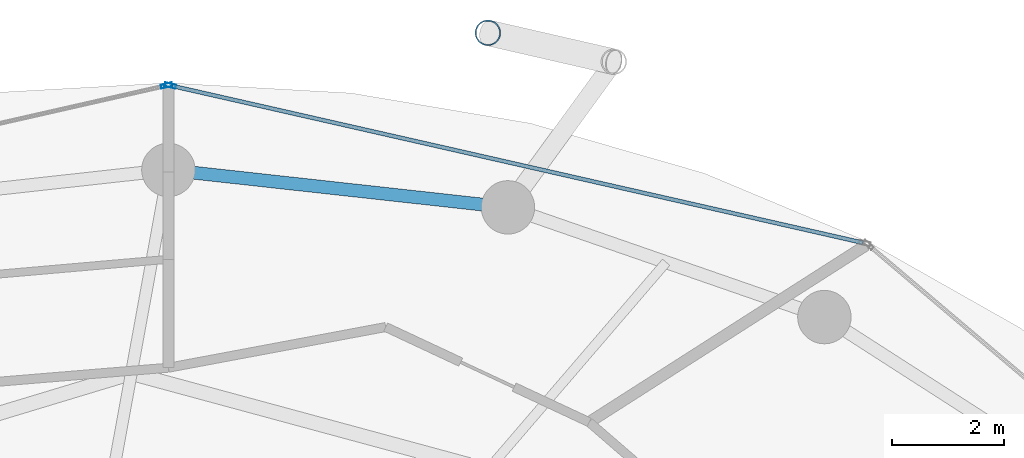
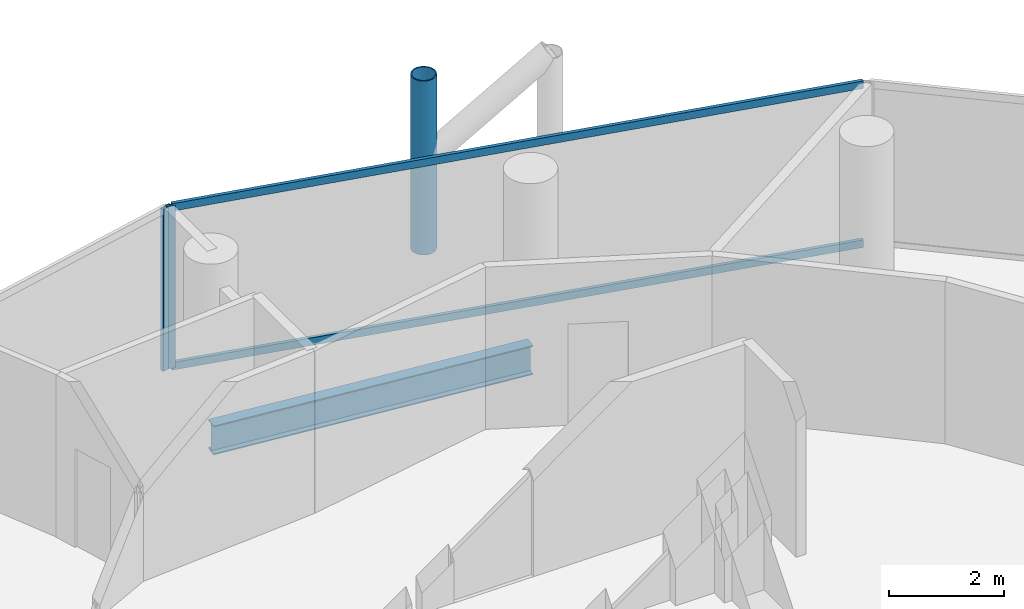
# One storey, part 17 of 26: 5 members, 1 beam, 2 elements without a shape of their own.
"""IFC4 building model written with IfcOpenShell, lengths in metres."""

from ifc_helpers import new_model, si_unit, direction, frame, origin, origin_2d, place, context, subcontext, project, spatial, hollow_rectangle, hollow_circle, i_section, extrude, material, layer, layer_set, material_profile, profile_set, type_object, element, aggregate, save


model = new_model("IFC4")

# Units and contexts
model_context = context("Model", 3, precision=1e-05, world=origin(), true_north=direction((0.0, 1.0)))
body_context = subcontext(model_context, "Body", "Model", "MODEL_VIEW")
ifc_project = project(units=[si_unit("LENGTHUNIT", "METRE"), si_unit("AREAUNIT", "SQUARE_METRE"), si_unit("VOLUMEUNIT", "CUBIC_METRE"), si_unit("PLANEANGLEUNIT", "RADIAN"), si_unit("MASSUNIT", "GRAM", prefix="KILO")], contexts=[model_context])

# Site, building, storey
site_placement = place(None, origin())
site = spatial("IfcSite", under=ifc_project, at=site_placement, CompositionType="ELEMENT")
building_placement = place(site_placement, origin())
building = spatial("IfcBuilding", under=site, at=building_placement, Name="Nuhasar Tower", CompositionType="ELEMENT")
storey_placement = place(building_placement, frame((0.0, 0.0, 140.449951171875)))
storey = spatial("IfcBuildingStorey", under=building, at=storey_placement, Name="L33", CompositionType="ELEMENT", Elevation=140.449951171875)

# Beam
ifc_material_1 = material(Name="Steel S355", Category="steel")
ifc_material_profile_1 = material_profile(ifc_material_1, i_section(OverallWidth=0.22998046875, OverallDepth=0.616943359375, WebThickness=0.01318359375, FlangeThickness=0.022216796875, at=origin_2d()), Name="W24X94")
ifc_profile_set_1 = profile_set([ifc_material_profile_1], Name="Steel S355")
beam_type = type_object("IfcBeamType", Name="BM-RING-W24X94", PredefinedType="SPANDREL", material=ifc_profile_set_1)
beam_placement = place(storey_placement, frame((45.04296875, 45.68408203125, -0.558837890625), z_axis=(-0.993981289157, 0.109549974015, 0.0), x_axis=(-0.109549974015, -0.993981289157, 0.0)))
element("IfcBeam", 1, at=beam_placement, inside=storey, type_object=beam_type, Name="L33 Perimeter Ring Spandrel 06", PredefinedType="SPANDREL", context=body_context, shape_type="SweptSolid", body=[
    extrude(i_section(OverallWidth=0.22998046875, OverallDepth=0.616943359375, WebThickness=0.01318359375, FlangeThickness=0.022216796875, at=origin_2d()), origin(), (0.0, 0.0, 1.0), 6.07958984375),
])

# Curtain wall, member
ifc_material_2 = material(Name="Aluminium 6063-T6", Category="aluminium")
ifc_layer = layer(ifc_material_2, 0.199951171875)
ifc_layer_set = layer_set([ifc_layer], Name="Aluminium 6063-T6")
curtain_wall_type = type_object("IfcCurtainWallType", Name="CW-Z2-HTL", PredefinedType="NOTDEFINED", material=ifc_layer_set)
curtain_wall_1_placement = place(storey_placement, origin())
curtain_wall_1 = element("IfcCurtainWall", 2, at=curtain_wall_1_placement, inside=storey, type_object=curtain_wall_type, Name="L33 Unitised Curtain Wall 03", PredefinedType="NOTDEFINED")
ifc_material_profile_2 = material_profile(ifc_material_2, hollow_rectangle(XDim=0.070068359375, YDim=0.199951171875, WallThickness=0.0048828125, at=origin_2d()), Name="CWM-3")
ifc_profile_set_2 = profile_set([ifc_material_profile_2], Name="Aluminium 6063-T6")
member_type_1 = type_object("IfcMemberType", Name="CW-MUL-S3", PredefinedType="MULLION", material=ifc_profile_set_2)
member_1_placement = place(storey_placement, frame((39.0341796875, 47.852294921875, 0.0), z_axis=(0.0, 0.0, 1.0), x_axis=(-0.22139729566, -0.975183694221, 0.0)))
member_1 = element("IfcMember", 3, at=member_1_placement, type_object=member_type_1, Name="CW-Z2 mullion 2", PredefinedType="MULLION", context=body_context, shape_type="SweptSolid", body=[
    extrude(hollow_rectangle(XDim=0.070068359375, YDim=0.199951171875, WallThickness=0.0048828125, at=origin_2d()), origin(), (0.0, 0.0, 1.0), 3.449951171875),
])

curtain_wall_2_placement = place(storey_placement, origin())
curtain_wall_2 = element("IfcCurtainWall", 4, at=curtain_wall_2_placement, inside=storey, type_object=curtain_wall_type, Name="L33 Unitised Curtain Wall 04", PredefinedType="NOTDEFINED")
member_2_placement = place(storey_placement, frame((38.9658203125, 47.852294921875, 0.0), z_axis=(0.0, 0.0, 1.0), x_axis=(0.22139729566, -0.975183694221, 0.0)))
member_2 = element("IfcMember", 5, at=member_2_placement, type_object=member_type_1, Name="CW-Z2 mullion 1", PredefinedType="MULLION", context=body_context, shape_type="SweptSolid", body=[
    extrude(hollow_rectangle(XDim=0.070068359375, YDim=0.199951171875, WallThickness=0.0048828125, at=origin_2d()), origin(), (0.0, 0.0, 1.0), 3.449951171875),
])
aggregate(curtain_wall_2, [member_2])

# Member
ifc_material_profile_3 = material_profile(ifc_material_2, hollow_rectangle(XDim=0.070068359375, YDim=0.159912109375, WallThickness=0.00439453125, at=origin_2d()), Name="CWT-3")
ifc_profile_set_3 = profile_set([ifc_material_profile_3], Name="Aluminium 6063-T6")
member_type_2 = type_object("IfcMemberType", Name="CW-TRN-S3", PredefinedType="USERDEFINED", material=ifc_profile_set_3)
member_3_placement = place(storey_placement, frame((51.36181640625, 45.053466796875, 0.03515625), z_axis=(-0.975183434528, 0.221398439519, 0.0), x_axis=(-0.221398439519, -0.975183434528, 0.0)))
member_3 = element("IfcMember", 6, at=member_3_placement, type_object=member_type_2, Name="CW-Z2 transom 1.1", ObjectType="TRANSOM", PredefinedType="USERDEFINED", context=body_context, shape_type="SweptSolid", body=[
    extrude(hollow_rectangle(XDim=0.070068359375, YDim=0.159912109375, WallThickness=0.00439453125, at=origin_2d()), origin(), (0.0, 0.0, 1.0), 12.606201171875),
])

member_4_placement = place(storey_placement, frame((51.36181640625, 45.053466796875, 3.4150390625), z_axis=(-0.975183434528, 0.221398439519, 0.0), x_axis=(-0.221398439519, -0.975183434528, 0.0)))
member_4 = element("IfcMember", 7, at=member_4_placement, type_object=member_type_2, Name="CW-Z2 transom 1.2", ObjectType="TRANSOM", PredefinedType="USERDEFINED", context=body_context, shape_type="SweptSolid", body=[
    extrude(hollow_rectangle(XDim=0.070068359375, YDim=0.159912109375, WallThickness=0.00439453125, at=origin_2d()), origin(), (0.0, 0.0, 1.0), 12.606201171875),
])

aggregate(curtain_wall_1, [member_1, member_3, member_4])

ifc_material_3 = material(Name="Steel S460", Category="steel")
ifc_material_profile_4 = material_profile(ifc_material_3, hollow_circle(Radius=0.228515625, WallThickness=0.022216796875, at=origin_2d()), Name="HSS457X22.2")
ifc_profile_set_4 = profile_set([ifc_material_profile_4], Name="Steel S460")
member_type_3 = type_object("IfcMemberType", Name="EXO-BRONZE-457", PredefinedType="BRACE", material=ifc_profile_set_4)
member_5_placement = place(storey_placement, frame((44.68603515625, 48.7900390625, 0.0), z_axis=(0.0, 0.0, 1.0), x_axis=(1.0, 0.0, 0.0)))
element("IfcMember", 8, at=member_5_placement, inside=storey, type_object=member_type_3, Name="L33 Exoskeleton Chord Column EC-03B", PredefinedType="BRACE", context=body_context, shape_type="SweptSolid", body=[
    extrude(hollow_circle(Radius=0.228515625, WallThickness=0.022216796875, at=origin_2d()), origin(), (0.0, 0.0, 1.0), 3.699951171875),
])

save(model, "model.ifc")
